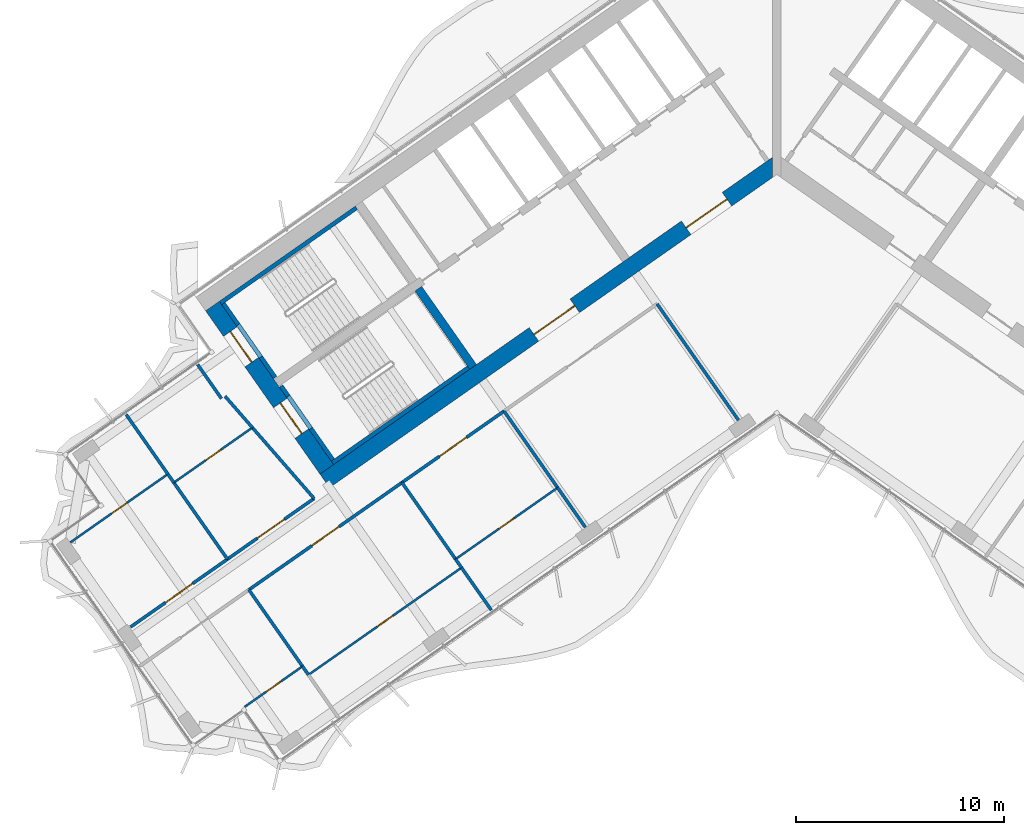
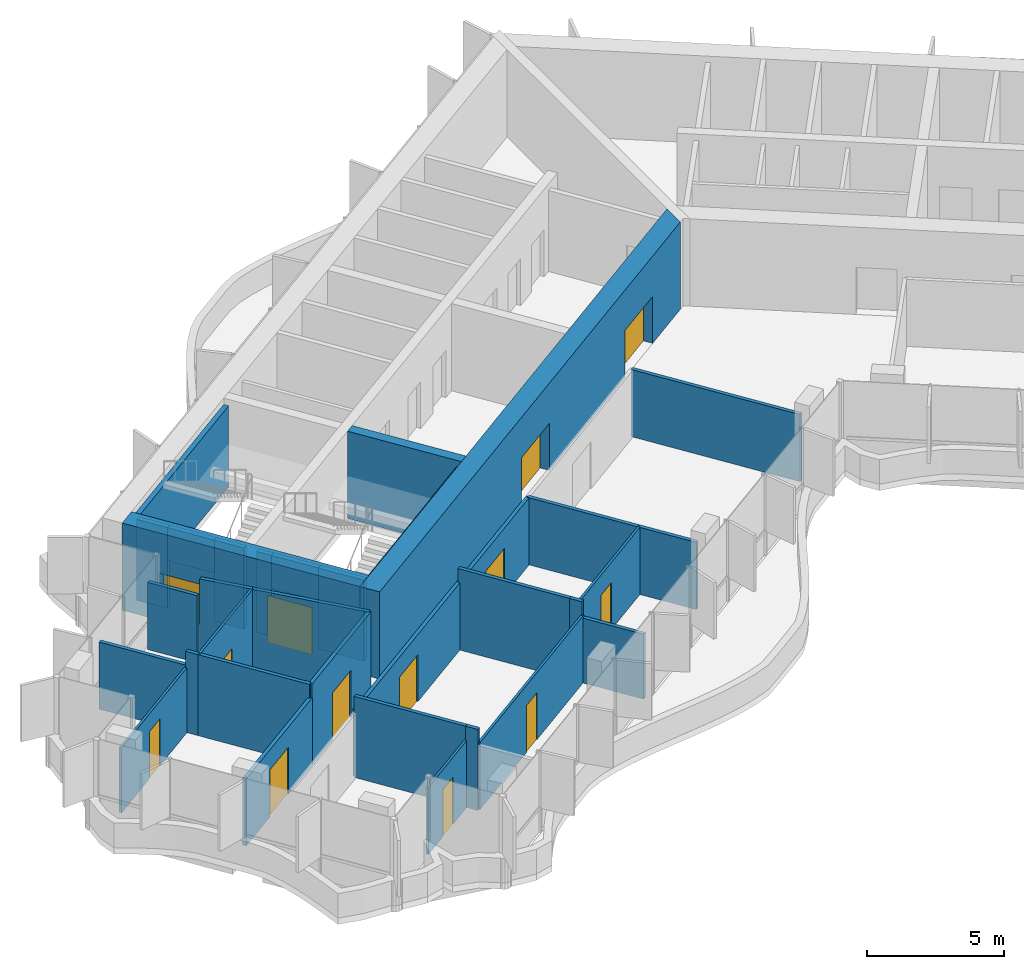
# One storey, part 12 of 21: 34 walls, 13 doors, 13 openings.
"""IFC4 building model written with IfcOpenShell, lengths in metres."""

from ifc_helpers import new_model, si_unit, direction, frame, frame_2d, origin, place, context, subcontext, project, spatial, polyline, rectangle, outline, extrude, material, layer, layer_set, type_object, element, fill, save


model = new_model("IFC4")

# Units and contexts
model_context = context("Model", 3, precision=1e-05, world=origin(), true_north=direction((0.0, 1.0)))
body_context = subcontext(model_context, "Body", "Model", "MODEL_VIEW")
ifc_project = project(units=[si_unit("LENGTHUNIT", "METRE"), si_unit("AREAUNIT", "SQUARE_METRE"), si_unit("VOLUMEUNIT", "CUBIC_METRE"), si_unit("PLANEANGLEUNIT", "RADIAN"), si_unit("MASSUNIT", "GRAM", prefix="KILO")], contexts=[model_context])

# Site, building, storey
site_placement = place(None, origin())
site = spatial("IfcSite", under=ifc_project, at=site_placement, CompositionType="ELEMENT")
building_placement = place(site_placement, origin())
building = spatial("IfcBuilding", under=site, at=building_placement, Name="Tel Ilan Convention Tower", CompositionType="ELEMENT")
storey_placement = place(building_placement, frame((0.0, 0.0, 210.0)))
storey = spatial("IfcBuildingStorey", under=building, at=storey_placement, Name="L49", CompositionType="ELEMENT", Elevation=210.0)

# Wall
ifc_material_1 = material(Name="Concrete C50/60", Category="concrete")
ifc_layer_1 = layer(ifc_material_1, 0.39990234375)
ifc_layer_set_1 = layer_set([ifc_layer_1], Name="Core Shear Wall 400 mm C50/60")
wall_type_1 = type_object("IfcWallType", Name="Core Shear Wall 400 mm C50/60", PredefinedType="SHEAR", material=ifc_layer_set_1)
wall_1_placement = place(storey_placement, frame((-14.6298828125, -10.48828125, 0.0), z_axis=(0.0, 0.0, 1.0), x_axis=(-0.573611936273, 0.819127185829, 0.0)))
element("IfcWall", 1, at=wall_1_placement, inside=storey, type_object=wall_type_1, Name="L49 core wall W-cross2-1", PredefinedType="SHEAR", context=body_context, shape_type="SweptSolid", body=[
    extrude(outline(polyline([(4.60009765625, 0.199951171875), (0.000244140625, 0.2001953125), (0.000244140625, -0.199951171875), (4.60009765625, -0.2001953125), (4.60009765625, 0.199951171875)])), origin(), (0.0, 0.0, 1.0), 3.89990234375),
])

# Wall, openings, doors
ifc_material_2 = material(Name="Concrete C50/60", Category="concrete")
ifc_layer_2 = layer(ifc_material_2, 0.800048828125)
ifc_layer_set_2 = layer_set([ifc_layer_2], Name="Core Shear Wall 800 mm C50/60")
wall_type_2 = type_object("IfcWallType", Name="Core Shear Wall 800 mm C50/60", PredefinedType="SHEAR", material=ifc_layer_set_2)
wall_2_placement = place(storey_placement, frame((0.029296875, -0.7119140625, 0.0), z_axis=(0.0, 0.0, 1.0), x_axis=(-0.819151758019, -0.573576845187, 0.0)))
wall_2 = element("IfcWall", 2, at=wall_2_placement, inside=storey, type_object=wall_type_2, Name="L49 core wall W-front", PredefinedType="SHEAR", context=body_context, shape_type="SweptSolid", body=[
    extrude(outline(polyline([(26.61572265625, 0.39990234375), (0.56005859375, 0.39990234375), (-0.000244140625, -0.39990234375), (26.61572265625, -0.39990234375), (26.61572265625, 0.39990234375)])), origin(), (0.0, 0.0, 1.0), 3.89990234375),
])
opening_1_placement = place(wall_2_placement, frame((2.9658203125, 0.0, 0.0)))
opening_1 = element("IfcOpeningElement", 3, at=opening_1_placement, cuts=wall_2, Name="Opening CD3805", PredefinedType="OPENING", context=body_context, shape_type="SweptSolid", body=[
    extrude(rectangle(XDim=2.39990234375, YDim=2.10009765625, at=frame_2d((1.199951171875, 1.050048828125))), frame((0.0, 0.409912109375, 0.0), z_axis=(0.0, -1.0, 0.0), x_axis=(1.0, 0.0, 0.0)), (0.0, 0.0, 1.0), 0.820068359375),
])
opening_2_placement = place(wall_2_placement, frame((11.915771484375, 0.0, 0.0)))
opening_2 = element("IfcOpeningElement", 4, at=opening_2_placement, cuts=wall_2, Name="Opening CD3806", PredefinedType="OPENING", context=body_context, shape_type="SweptSolid", body=[
    extrude(rectangle(XDim=2.39990234375, YDim=2.10009765625, at=frame_2d((1.199951171875, 1.050048828125))), frame((0.0, 0.409912109375, 0.0), z_axis=(0.0, -1.0, 0.0), x_axis=(1.0, 0.0, 0.0)), (0.0, 0.0, 1.0), 0.820068359375),
])
ifc_material_3 = material(Name="Glazed Aluminium Door Leaf", Category="aluminium")
door_type_1 = type_object("IfcDoorType", Name="Lobby Opening Door 2400 x 2100 FD60S", OperationType="NOTDEFINED", PredefinedType="DOOR", material=ifc_material_3)
door_1_placement = place(opening_1_placement, origin())
door_1 = element("IfcDoor", 5, at=door_1_placement, inside=storey, type_object=door_type_1, Name="Lift Lobby LR1-LR4 opening", OperationType="DOUBLE_DOOR_SINGLE_SWING", OverallHeight=2.10009765625, OverallWidth=2.39990234375, PredefinedType="DOOR", context=body_context, shape_type="SweptSolid", body=[
    extrude(rectangle(XDim=2.39990234375, YDim=2.10009765625, at=frame_2d((1.199951171875, 1.050048828125))), frame((0.0, 0.02490234375, 0.0), z_axis=(0.0, -1.0, 0.0), x_axis=(1.0, 0.0, 0.0)), (0.0, 0.0, 1.0), 0.050048828125),
])
fill(opening_1, door_1)
door_2_placement = place(opening_2_placement, origin())
door_2 = element("IfcDoor", 6, at=door_2_placement, inside=storey, type_object=door_type_1, Name="Lift Lobby LR5-LR6 opening", OperationType="DOUBLE_DOOR_SINGLE_SWING", OverallHeight=2.10009765625, OverallWidth=2.39990234375, PredefinedType="DOOR", context=body_context, shape_type="SweptSolid", body=[
    extrude(rectangle(XDim=2.39990234375, YDim=2.10009765625, at=frame_2d((1.199951171875, 1.050048828125))), frame((0.0, 0.02490234375, 0.0), z_axis=(0.0, -1.0, 0.0), x_axis=(1.0, 0.0, 0.0)), (0.0, 0.0, 1.0), 0.050048828125),
])
fill(opening_2, door_2)

wall_3_placement = place(storey_placement, frame((-21.6748046875, -15.4208984375, 0.0), z_axis=(0.0, 0.0, 1.0), x_axis=(-0.573581815061, 0.819148278049, 0.0)))
wall_3 = element("IfcWall", 7, at=wall_3_placement, inside=storey, type_object=wall_type_2, Name="L49 core wall W-end", PredefinedType="SHEAR", context=body_context, shape_type="SweptSolid", body=[
    extrude(outline(polyline([(0.0, 0.39990234375), (0.0, -0.39990234375), (9.599853515625, -0.400146484375), (9.599853515625, 0.39990234375), (0.0, 0.39990234375)])), origin(), (0.0, 0.0, 1.0), 3.89990234375),
])
opening_3_placement = place(wall_3_placement, frame((6.300048828125, 0.0, 0.0)))
opening_3 = element("IfcOpeningElement", 8, at=opening_3_placement, cuts=wall_3, Name="Opening SD3801", PredefinedType="OPENING", context=body_context, shape_type="SweptSolid", body=[
    extrude(rectangle(XDim=1.800048828125, YDim=2.10009765625, at=frame_2d((0.89990234375, 1.050048828125))), frame((0.0, 0.409912109375, 0.0), z_axis=(0.0, -1.0, 0.0), x_axis=(1.0, 0.0, 0.0)), (0.0, 0.0, 1.0), 0.820068359375),
])
opening_4_placement = place(wall_3_placement, frame((2.10009765625, 0.0, 0.0)))
opening_4 = element("IfcOpeningElement", 9, at=opening_4_placement, cuts=wall_3, Name="Opening SD3802", PredefinedType="OPENING", context=body_context, shape_type="SweptSolid", body=[
    extrude(rectangle(XDim=1.800048828125, YDim=2.10009765625, at=frame_2d((0.89990234375, 1.050048828125))), frame((0.0, 0.409912109375, 0.0), z_axis=(0.0, -1.0, 0.0), x_axis=(1.0, 0.0, 0.0)), (0.0, 0.0, 1.0), 0.820068359375),
])
ifc_material_4 = material(Name="Galvanised Steel Door Leaf", Category="steel")
door_type_2 = type_object("IfcDoorType", Name="Stair Fire Door 1800 x 2100 FD60S", OperationType="NOTDEFINED", PredefinedType="DOOR", material=ifc_material_4)
door_3_placement = place(opening_3_placement, origin())
door_3 = element("IfcDoor", 10, at=door_3_placement, inside=storey, type_object=door_type_2, Name="Stair S1 door", OperationType="DOUBLE_DOOR_SINGLE_SWING", OverallHeight=2.10009765625, OverallWidth=1.800048828125, PredefinedType="DOOR", context=body_context, shape_type="SweptSolid", body=[
    extrude(rectangle(XDim=1.800048828125, YDim=2.10009765625, at=frame_2d((0.89990234375, 1.050048828125))), frame((0.0, 0.02490234375, 0.0), z_axis=(0.0, -1.0, 0.0), x_axis=(1.0, 0.0, 0.0)), (0.0, 0.0, 1.0), 0.050048828125),
])
fill(opening_3, door_3)
door_4_placement = place(opening_4_placement, origin())
door_4 = element("IfcDoor", 11, at=door_4_placement, inside=storey, type_object=door_type_2, Name="Stair S2 door", OperationType="DOUBLE_DOOR_SINGLE_SWING", OverallHeight=2.10009765625, OverallWidth=1.800048828125, PredefinedType="DOOR", context=body_context, shape_type="SweptSolid", body=[
    extrude(rectangle(XDim=1.800048828125, YDim=2.10009765625, at=frame_2d((0.89990234375, 1.050048828125))), frame((0.0, 0.02490234375, 0.0), z_axis=(0.0, -1.0, 0.0), x_axis=(1.0, 0.0, 0.0)), (0.0, 0.0, 1.0), 0.050048828125),
])
fill(opening_4, door_4)

# Wall, opening, door
ifc_material_5 = material(Name="Plasterboard on Steel Studs", Category="steel")
ifc_layer_3 = layer(ifc_material_5, 0.14990234375)
ifc_layer_set_3 = layer_set([ifc_layer_3], Name="Fire-rated Partition 150 EI 60")
wall_type_3 = type_object("IfcWallType", Name="Fire-rated Partition 150 EI 60", PredefinedType="PARTITIONING", material=ifc_layer_set_3)
wall_4_placement = place(storey_placement, frame((-26.460205078125, -19.748291015625, 0.0), z_axis=(0.0, 0.0, 1.0), x_axis=(0.819171182807, 0.573549102744, 0.0)))
wall_4 = element("IfcWall", 12, at=wall_4_placement, inside=storey, type_object=wall_type_3, Name="Partition 008", PredefinedType="PARTITIONING", context=body_context, shape_type="SweptSolid", body=[
    extrude(rectangle(XDim=5.09912109375, YDim=0.14990234375, at=frame_2d((2.549560546875, 0.0))), origin(), (0.0, 0.0, 1.0), 3.6201171875),
])
opening_5_placement = place(wall_4_placement, frame((1.74951171875, 0.0, 0.0)))
opening_5 = element("IfcOpeningElement", 13, at=opening_5_placement, cuts=wall_4, Name="Opening L48-008", PredefinedType="OPENING", context=body_context, shape_type="SweptSolid", body=[
    extrude(rectangle(XDim=1.60009765625, YDim=2.10009765625, at=frame_2d((0.800048828125, 1.050048828125))), frame((0.0, 0.0849609375, 0.0), z_axis=(0.0, -1.0, 0.0), x_axis=(1.0, 0.0, 0.0)), (0.0, 0.0, 1.0), 0.169921875),
])
ifc_material_6 = material(Name="Timber Door Leaf in Steel Frame", Category="steel")
door_type_3 = type_object("IfcDoorType", Name="Tenant Suite Entrance Fire Door 1600x2100", OperationType="NOTDEFINED", PredefinedType="DOOR", material=ifc_material_6)
door_5_placement = place(opening_5_placement, origin())
door_5 = element("IfcDoor", 14, at=door_5_placement, inside=storey, type_object=door_type_3, Name="Door L48-008", OperationType="DOUBLE_DOOR_SINGLE_SWING", OverallHeight=2.10009765625, OverallWidth=1.60009765625, PredefinedType="DOOR", context=body_context, shape_type="SweptSolid", body=[
    extrude(rectangle(XDim=1.60009765625, YDim=2.10009765625, at=frame_2d((0.800048828125, 1.050048828125))), frame((0.0, 0.02490234375, 0.0), z_axis=(0.0, -1.0, 0.0), x_axis=(1.0, 0.0, 0.0)), (0.0, 0.0, 1.0), 0.050048828125),
])
fill(opening_5, door_5)

wall_5_placement = place(storey_placement, frame((-31.127685546875, -23.0166015625, 0.0), z_axis=(0.0, 0.0, 1.0), x_axis=(0.819159500015, 0.573565788323, 0.0)))
wall_5 = element("IfcWall", 15, at=wall_5_placement, inside=storey, type_object=wall_type_3, Name="Partition 009", PredefinedType="PARTITIONING", context=body_context, shape_type="SweptSolid", body=[
    extrude(rectangle(XDim=5.7021484375, YDim=0.14990234375, at=frame_2d((2.85107421875, 0.0))), origin(), (0.0, 0.0, 1.0), 3.0),
])
opening_6_placement = place(wall_5_placement, frame((2.051025390625, 0.0, 0.0)))
opening_6 = element("IfcOpeningElement", 16, at=opening_6_placement, cuts=wall_5, Name="Opening L48-010", PredefinedType="OPENING", context=body_context, shape_type="SweptSolid", body=[
    extrude(rectangle(XDim=1.60009765625, YDim=2.10009765625, at=frame_2d((0.800048828125, 1.050048828125))), frame((0.0, 0.0849609375, 0.0), z_axis=(0.0, -1.0, 0.0), x_axis=(1.0, 0.0, 0.0)), (0.0, 0.0, 1.0), 0.169921875),
])
door_6_placement = place(opening_6_placement, origin())
door_6 = element("IfcDoor", 17, at=door_6_placement, inside=storey, type_object=door_type_3, Name="Door L48-010", OperationType="DOUBLE_DOOR_SINGLE_SWING", OverallHeight=2.10009765625, OverallWidth=1.60009765625, PredefinedType="DOOR", context=body_context, shape_type="SweptSolid", body=[
    extrude(rectangle(XDim=1.60009765625, YDim=2.10009765625, at=frame_2d((0.800048828125, 1.050048828125))), frame((0.0, 0.02490234375, 0.0), z_axis=(0.0, -1.0, 0.0), x_axis=(1.0, 0.0, 0.0)), (0.0, 0.0, 1.0), 0.050048828125),
])
fill(opening_6, door_6)

wall_6_placement = place(storey_placement, frame((-13.13720703125, -12.616943359375, 0.0), z_axis=(0.0, 0.0, 1.0), x_axis=(-0.819165052243, -0.573557858619, 0.0)))
wall_6 = element("IfcWall", 18, at=wall_6_placement, inside=storey, type_object=wall_type_3, Name="Partition 011", PredefinedType="PARTITIONING", context=body_context, shape_type="SweptSolid", body=[
    extrude(rectangle(XDim=6.00390625, YDim=0.14990234375, at=frame_2d((3.001953125, 0.0))), origin(), (0.0, 0.0, 1.0), 3.0),
])
opening_7_placement = place(wall_6_placement, frame((2.201904296875, 0.0, 0.0)))
opening_7 = element("IfcOpeningElement", 19, at=opening_7_placement, cuts=wall_6, Name="Opening L48-002", PredefinedType="OPENING", context=body_context, shape_type="SweptSolid", body=[
    extrude(rectangle(XDim=1.60009765625, YDim=2.10009765625, at=frame_2d((0.800048828125, 1.050048828125))), frame((0.0, 0.0849609375, 0.0), z_axis=(0.0, -1.0, 0.0), x_axis=(1.0, 0.0, 0.0)), (0.0, 0.0, 1.0), 0.169921875),
])
door_7_placement = place(opening_7_placement, origin())
door_7 = element("IfcDoor", 20, at=door_7_placement, inside=storey, type_object=door_type_3, Name="Door L48-002", OperationType="DOUBLE_DOOR_SINGLE_SWING", OverallHeight=2.10009765625, OverallWidth=1.60009765625, PredefinedType="DOOR", context=body_context, shape_type="SweptSolid", body=[
    extrude(rectangle(XDim=1.60009765625, YDim=2.10009765625, at=frame_2d((0.800048828125, 1.050048828125))), frame((0.0, 0.02490234375, 0.0), z_axis=(0.0, -1.0, 0.0), x_axis=(1.0, 0.0, 0.0)), (0.0, 0.0, 1.0), 0.050048828125),
])
fill(opening_7, door_7)

wall_7_placement = place(storey_placement, frame((-18.052001953125, -16.058349609375, 0.0), z_axis=(0.0, 0.0, 1.0), x_axis=(-0.819142740634, -0.573589723117, 0.0)))
wall_7 = element("IfcWall", 21, at=wall_7_placement, inside=storey, type_object=wall_type_3, Name="Partition 012", PredefinedType="PARTITIONING", context=body_context, shape_type="SweptSolid", body=[
    extrude(rectangle(XDim=9.00390625, YDim=0.14990234375, at=frame_2d((4.501953125, 0.0))), origin(), (0.0, 0.0, 1.0), 3.0),
])
opening_8_placement = place(wall_7_placement, frame((3.701904296875, 0.0, 0.0)))
opening_8 = element("IfcOpeningElement", 22, at=opening_8_placement, cuts=wall_7, Name="Opening L48-004", PredefinedType="OPENING", context=body_context, shape_type="SweptSolid", body=[
    extrude(rectangle(XDim=1.60009765625, YDim=2.10009765625, at=frame_2d((0.800048828125, 1.050048828125))), frame((0.0, 0.0849609375, 0.0), z_axis=(0.0, -1.0, 0.0), x_axis=(1.0, 0.0, 0.0)), (0.0, 0.0, 1.0), 0.169921875),
])
door_8_placement = place(opening_8_placement, origin())
door_8 = element("IfcDoor", 23, at=door_8_placement, inside=storey, type_object=door_type_3, Name="Door L48-004", OperationType="DOUBLE_DOOR_SINGLE_SWING", OverallHeight=2.10009765625, OverallWidth=1.60009765625, PredefinedType="DOOR", context=body_context, shape_type="SweptSolid", body=[
    extrude(rectangle(XDim=1.60009765625, YDim=2.10009765625, at=frame_2d((0.800048828125, 1.050048828125))), frame((0.0, 0.02490234375, 0.0), z_axis=(0.0, -1.0, 0.0), x_axis=(1.0, 0.0, 0.0)), (0.0, 0.0, 1.0), 0.050048828125),
])
fill(opening_8, door_8)

# Walls
wall_8_placement = place(storey_placement, frame((-1.848876953125, -13.050537109375, 0.0), z_axis=(0.0, 0.0, 1.0), x_axis=(-0.57357985571, 0.819149650018, 0.0)))
element("IfcWall", 24, at=wall_8_placement, inside=storey, type_object=wall_type_3, Name="Partition 033", PredefinedType="PARTITIONING", context=body_context, shape_type="SweptSolid", body=[
    extrude(rectangle(XDim=6.83203125, YDim=0.14990234375, at=frame_2d((3.416015625, 0.0))), origin(), (0.0, 0.0, 1.0), 3.0),
])
wall_9_placement = place(storey_placement, frame((-26.74609375, -12.013671875, 0.0), z_axis=(0.0, 0.0, 1.0), x_axis=(-0.573568836472, 0.819157365729, 0.0)))
element("IfcWall", 25, at=wall_9_placement, inside=storey, type_object=wall_type_3, Name="Partition 034", PredefinedType="PARTITIONING", context=body_context, shape_type="SweptSolid", body=[
    extrude(rectangle(XDim=2.000244140625, YDim=0.14990234375, at=frame_2d((1.0, 0.0))), origin(), (0.0, 0.0, 1.0), 3.0),
])
wall_10_placement = place(storey_placement, frame((-25.25634765625, -13.4130859375, 0.0), z_axis=(0.0, 0.0, 1.0), x_axis=(-0.656776293518, 0.75408547279, 0.0)))
element("IfcWall", 26, at=wall_10_placement, inside=storey, type_object=wall_type_3, Name="Partition 035", PredefinedType="PARTITIONING", context=body_context, shape_type="SweptSolid", body=[
    extrude(rectangle(XDim=2.01220703125, YDim=0.14990234375, at=frame_2d((1.006103515625, 0.0))), origin(), (0.0, 0.0, 1.0), 3.6201171875),
])
wall_11_placement = place(storey_placement, frame((-22.28369140625, -16.826416015625, 0.0), z_axis=(0.0, 0.0, 1.0), x_axis=(-0.656755036803, 0.754103985955, 0.0)))
element("IfcWall", 27, at=wall_11_placement, inside=storey, type_object=wall_type_3, Name="Partition 036", PredefinedType="PARTITIONING", context=body_context, shape_type="SweptSolid", body=[
    extrude(rectangle(XDim=4.529296875, YDim=0.14990234375, at=frame_2d((2.2646484375, 0.0))), origin(), (0.0, 0.0, 1.0), 3.6201171875),
])
wall_12_placement = place(storey_placement, frame((-29.32568359375, -15.652099609375, 0.0), z_axis=(0.0, 0.0, 1.0), x_axis=(-0.573593387921, 0.81914017441, 0.0)))
element("IfcWall", 28, at=wall_12_placement, inside=storey, type_object=wall_type_3, Name="Partition 038", PredefinedType="PARTITIONING", context=body_context, shape_type="SweptSolid", body=[
    extrude(rectangle(XDim=3.500732421875, YDim=0.14990234375, at=frame_2d((1.75048828125, 0.0))), origin(), (0.0, 0.0, 1.0), 3.0),
])
wall_13_placement = place(storey_placement, frame((-29.0400390625, -16.060302734375, 0.0), z_axis=(0.0, 0.0, 1.0), x_axis=(-0.573560455774, 0.819163233777, 0.0)))
element("IfcWall", 29, at=wall_13_placement, inside=storey, type_object=wall_type_3, Name="Partition 039", PredefinedType="PARTITIONING", context=body_context, shape_type="SweptSolid", body=[
    extrude(rectangle(XDim=0.5009765625, YDim=0.14990234375, at=frame_2d((0.25048828125, 0.0))), origin(), (0.0, 0.0, 1.0), 3.6201171875),
])
wall_14_placement = place(storey_placement, frame((-26.45849609375, -19.747314453125, 0.0), z_axis=(0.0, 0.0, 1.0), x_axis=(-0.573560650686, 0.819163097304, 0.0)))
element("IfcWall", 30, at=wall_14_placement, inside=storey, type_object=wall_type_3, Name="Partition 040", PredefinedType="PARTITIONING", context=body_context, shape_type="SweptSolid", body=[
    extrude(rectangle(XDim=4.5, YDim=0.14990234375, at=frame_2d((2.25, 0.0))), origin(), (0.0, 0.0, 1.0), 3.6201171875),
])
wall_15_placement = place(storey_placement, frame((-9.22119140625, -18.212890625, 0.0), z_axis=(0.0, 0.0, 1.0), x_axis=(-0.573553724287, 0.819167946978, 0.0)))
element("IfcWall", 31, at=wall_15_placement, inside=storey, type_object=wall_type_3, Name="Partition 042", PredefinedType="PARTITIONING", context=body_context, shape_type="SweptSolid", body=[
    extrude(rectangle(XDim=2.330810546875, YDim=0.14990234375, at=frame_2d((1.16552734375, 0.0))), origin(), (0.0, 0.0, 1.0), 3.0),
])
wall_16_placement = place(storey_placement, frame((-10.556396484375, -16.305908203125, 0.0), z_axis=(0.0, 0.0, 1.0), x_axis=(-0.573564243949, 0.819160581365, 0.0)))
element("IfcWall", 32, at=wall_16_placement, inside=storey, type_object=wall_type_3, Name="Partition 043", PredefinedType="PARTITIONING", context=body_context, shape_type="SweptSolid", body=[
    extrude(rectangle(XDim=4.502197265625, YDim=0.14990234375, at=frame_2d((2.2509765625, 0.0))), origin(), (0.0, 0.0, 1.0), 3.0),
])
wall_17_placement = place(storey_placement, frame((-13.751708984375, -22.203125, 0.0), z_axis=(0.0, 0.0, 1.0), x_axis=(-0.57356715775, 0.819158541157, 0.0)))
element("IfcWall", 33, at=wall_17_placement, inside=storey, type_object=wall_type_3, Name="Partition 045", PredefinedType="PARTITIONING", context=body_context, shape_type="SweptSolid", body=[
    extrude(rectangle(XDim=2.501220703125, YDim=0.14990234375, at=frame_2d((1.25048828125, 0.0))), origin(), (0.0, 0.0, 1.0), 2.89990234375),
])
wall_18_placement = place(storey_placement, frame((-15.1845703125, -20.156982421875, 0.0), z_axis=(0.0, 0.0, 1.0), x_axis=(-0.573560455774, 0.819163233777, 0.0)))
element("IfcWall", 34, at=wall_18_placement, inside=storey, type_object=wall_type_3, Name="Partition 046", PredefinedType="PARTITIONING", context=body_context, shape_type="SweptSolid", body=[
    extrude(rectangle(XDim=0.5009765625, YDim=0.14990234375, at=frame_2d((0.25048828125, 0.0))), origin(), (0.0, 0.0, 1.0), 3.6201171875),
])
wall_19_placement = place(storey_placement, frame((-15.472412109375, -19.74560546875, 0.0), z_axis=(0.0, 0.0, 1.0), x_axis=(-0.573622545156, 0.819119756622, 0.0)))
element("IfcWall", 35, at=wall_19_placement, inside=storey, type_object=wall_type_3, Name="Partition 047", PredefinedType="PARTITIONING", context=body_context, shape_type="SweptSolid", body=[
    extrude(rectangle(XDim=4.5, YDim=0.14990234375, at=frame_2d((2.25, 0.0))), origin(), (0.0, 0.0, 1.0), 3.6201171875),
])
wall_20_placement = place(storey_placement, frame((-22.55810546875, -25.3173828125, 0.0), z_axis=(0.0, 0.0, 1.0), x_axis=(-0.573560455774, 0.819163233777, 0.0)))
element("IfcWall", 36, at=wall_20_placement, inside=storey, type_object=wall_type_3, Name="Partition 050", PredefinedType="PARTITIONING", context=body_context, shape_type="SweptSolid", body=[
    extrude(rectangle(XDim=0.5009765625, YDim=0.14990234375, at=frame_2d((0.25048828125, 0.0))), origin(), (0.0, 0.0, 1.0), 3.6201171875),
])
wall_21_placement = place(storey_placement, frame((-22.84375, -24.909423828125, 0.0), z_axis=(0.0, 0.0, 1.0), x_axis=(-0.573589723117, 0.819142740634, 0.0)))
element("IfcWall", 37, at=wall_21_placement, inside=storey, type_object=wall_type_3, Name="Partition 051", PredefinedType="PARTITIONING", context=body_context, shape_type="SweptSolid", body=[
    extrude(rectangle(XDim=4.501953125, YDim=0.14990234375, at=frame_2d((2.2509765625, 0.0))), origin(), (0.0, 0.0, 1.0), 3.6201171875),
])

# Wall, opening, door
ifc_material_7 = material(Name="Plasterboard on Steel Studs", Category="steel")
ifc_layer_4 = layer(ifc_material_7, 0.10009765625)
ifc_layer_set_4 = layer_set([ifc_layer_4], Name="Plasterboard Partition 100")
wall_type_4 = type_object("IfcWallType", Name="Plasterboard Partition 100", PredefinedType="PARTITIONING", material=ifc_layer_set_4)
wall_22_placement = place(storey_placement, frame((-29.0400390625, -16.060302734375, 0.0), z_axis=(0.0, 0.0, 1.0), x_axis=(0.819135037256, 0.573600724145, 0.0)))
wall_22 = element("IfcWall", 38, at=wall_22_placement, inside=storey, type_object=wall_type_4, Name="Partition 037", PredefinedType="PARTITIONING", context=body_context, shape_type="SweptSolid", body=[
    extrude(rectangle(XDim=4.61767578125, YDim=0.10009765625, at=frame_2d((2.308837890625, 0.0))), origin(), (0.0, 0.0, 1.0), 3.6201171875),
])
opening_9_placement = place(wall_22_placement, frame((1.85888671875, 0.0, 0.0)))
opening_9 = element("IfcOpeningElement", 39, at=opening_9_placement, cuts=wall_22, Name="Opening L48-009", PredefinedType="OPENING", context=body_context, shape_type="SweptSolid", body=[
    extrude(rectangle(XDim=0.89990234375, YDim=2.10009765625, at=frame_2d((0.449951171875, 1.050048828125))), frame((0.0, 0.06005859375, 0.0), z_axis=(0.0, -1.0, 0.0), x_axis=(1.0, 0.0, 0.0)), (0.0, 0.0, 1.0), 0.1201171875),
])
ifc_material_8 = material(Name="Timber Door Leaf in Steel Frame", Category="steel")
door_type_4 = type_object("IfcDoorType", Name="Room Timber Door 900x2100", OperationType="NOTDEFINED", PredefinedType="DOOR", material=ifc_material_8)
door_9_placement = place(opening_9_placement, origin())
door_9 = element("IfcDoor", 40, at=door_9_placement, inside=storey, type_object=door_type_4, Name="Door L48-009", OperationType="SINGLE_SWING_RIGHT", OverallHeight=2.10009765625, OverallWidth=0.89990234375, PredefinedType="DOOR", context=body_context, shape_type="SweptSolid", body=[
    extrude(rectangle(XDim=0.89990234375, YDim=2.10009765625, at=frame_2d((0.449951171875, 1.050048828125))), frame((0.0, 0.02490234375, 0.0), z_axis=(0.0, -1.0, 0.0), x_axis=(1.0, 0.0, 0.0)), (0.0, 0.0, 1.0), 0.050048828125),
])
fill(opening_9, door_9)

wall_23_placement = place(storey_placement, frame((-34.0205078125, -18.937255859375, 0.0), z_axis=(0.0, 0.0, 1.0), x_axis=(0.819141832764, 0.573591019644, 0.0)))
wall_23 = element("IfcWall", 41, at=wall_23_placement, inside=storey, type_object=wall_type_4, Name="Partition 041", PredefinedType="PARTITIONING", context=body_context, shape_type="SweptSolid", body=[
    extrude(rectangle(XDim=5.72998046875, YDim=0.10009765625, at=frame_2d((2.864990234375, 0.0))), origin(), (0.0, 0.0, 1.0), 2.89990234375),
])
opening_10_placement = place(wall_23_placement, frame((2.4150390625, 0.0, 0.0)))
opening_10 = element("IfcOpeningElement", 42, at=opening_10_placement, cuts=wall_23, Name="Opening L48-011", PredefinedType="OPENING", context=body_context, shape_type="SweptSolid", body=[
    extrude(rectangle(XDim=0.89990234375, YDim=2.10009765625, at=frame_2d((0.449951171875, 1.050048828125))), frame((0.0, 0.06005859375, 0.0), z_axis=(0.0, -1.0, 0.0), x_axis=(1.0, 0.0, 0.0)), (0.0, 0.0, 1.0), 0.1201171875),
])
door_10_placement = place(opening_10_placement, origin())
door_10 = element("IfcDoor", 43, at=door_10_placement, inside=storey, type_object=door_type_4, Name="Door L48-011", OperationType="SINGLE_SWING_RIGHT", OverallHeight=2.10009765625, OverallWidth=0.89990234375, PredefinedType="DOOR", context=body_context, shape_type="SweptSolid", body=[
    extrude(rectangle(XDim=0.89990234375, YDim=2.10009765625, at=frame_2d((0.449951171875, 1.050048828125))), frame((0.0, 0.02490234375, 0.0), z_axis=(0.0, -1.0, 0.0), x_axis=(1.0, 0.0, 0.0)), (0.0, 0.0, 1.0), 0.050048828125),
])
fill(opening_10, door_10)

wall_24_placement = place(storey_placement, frame((-10.55712890625, -16.304931640625, 0.0), z_axis=(0.0, 0.0, 1.0), x_axis=(-0.819130592339, -0.573607071691, 0.0)))
wall_24 = element("IfcWall", 44, at=wall_24_placement, inside=storey, type_object=wall_type_4, Name="Partition 044", PredefinedType="PARTITIONING", context=body_context, shape_type="SweptSolid", body=[
    extrude(rectangle(XDim=6.0, YDim=0.10009765625, at=frame_2d((3.0, 0.0))), origin(), (0.0, 0.0, 1.0), 3.0),
])
opening_11_placement = place(wall_24_placement, frame((2.550048828125, 0.0, 0.0)))
opening_11 = element("IfcOpeningElement", 45, at=opening_11_placement, cuts=wall_24, Name="Opening L48-003", PredefinedType="OPENING", context=body_context, shape_type="SweptSolid", body=[
    extrude(rectangle(XDim=0.89990234375, YDim=2.10009765625, at=frame_2d((0.449951171875, 1.050048828125))), frame((0.0, 0.06005859375, 0.0), z_axis=(0.0, -1.0, 0.0), x_axis=(1.0, 0.0, 0.0)), (0.0, 0.0, 1.0), 0.1201171875),
])
door_11_placement = place(opening_11_placement, origin())
door_11 = element("IfcDoor", 46, at=door_11_placement, inside=storey, type_object=door_type_4, Name="Door L48-003", OperationType="SINGLE_SWING_LEFT", OverallHeight=2.10009765625, OverallWidth=0.89990234375, PredefinedType="DOOR", context=body_context, shape_type="SweptSolid", body=[
    extrude(rectangle(XDim=0.89990234375, YDim=2.10009765625, at=frame_2d((0.449951171875, 1.050048828125))), frame((0.0, 0.02490234375, 0.0), z_axis=(0.0, -1.0, 0.0), x_axis=(1.0, 0.0, 0.0)), (0.0, 0.0, 1.0), 0.050048828125),
])
fill(opening_11, door_11)

wall_25_placement = place(storey_placement, frame((-15.185302734375, -20.156005859375, 0.0), z_axis=(0.0, 0.0, 1.0), x_axis=(-0.819154173185, -0.573573395961, 0.0)))
wall_25 = element("IfcWall", 47, at=wall_25_placement, inside=storey, type_object=wall_type_4, Name="Partition 048", PredefinedType="PARTITIONING", context=body_context, shape_type="SweptSolid", body=[
    extrude(rectangle(XDim=9.0, YDim=0.10009765625, at=frame_2d((4.5, 0.0))), origin(), (0.0, 0.0, 1.0), 3.0),
])
opening_12_placement = place(wall_25_placement, frame((4.050048828125, 0.0, 0.0)))
opening_12 = element("IfcOpeningElement", 48, at=opening_12_placement, cuts=wall_25, Name="Opening L48-005", PredefinedType="OPENING", context=body_context, shape_type="SweptSolid", body=[
    extrude(rectangle(XDim=0.89990234375, YDim=2.10009765625, at=frame_2d((0.449951171875, 1.050048828125))), frame((0.0, 0.06005859375, 0.0), z_axis=(0.0, -1.0, 0.0), x_axis=(1.0, 0.0, 0.0)), (0.0, 0.0, 1.0), 0.1201171875),
])
door_12_placement = place(opening_12_placement, origin())
door_12 = element("IfcDoor", 49, at=door_12_placement, inside=storey, type_object=door_type_4, Name="Door L48-005", OperationType="SINGLE_SWING_RIGHT", OverallHeight=2.10009765625, OverallWidth=0.89990234375, PredefinedType="DOOR", context=body_context, shape_type="SweptSolid", body=[
    extrude(rectangle(XDim=0.89990234375, YDim=2.10009765625, at=frame_2d((0.449951171875, 1.050048828125))), frame((0.0, 0.02490234375, 0.0), z_axis=(0.0, -1.0, 0.0), x_axis=(1.0, 0.0, 0.0)), (0.0, 0.0, 1.0), 0.050048828125),
])
fill(opening_12, door_12)

wall_26_placement = place(storey_placement, frame((-22.84423828125, -24.90869140625, 0.0), z_axis=(0.0, 0.0, 1.0), x_axis=(-0.819150951061, -0.57357799764, 0.0)))
wall_26 = element("IfcWall", 50, at=wall_26_placement, inside=storey, type_object=wall_type_4, Name="Partition 052", PredefinedType="PARTITIONING", context=body_context, shape_type="SweptSolid", body=[
    extrude(rectangle(XDim=3.400146484375, YDim=0.10009765625, at=frame_2d((1.7001953125, 0.0))), origin(), (0.0, 0.0, 1.0), 3.0),
])
opening_13_placement = place(wall_26_placement, frame((1.25, 0.0, 0.0)))
opening_13 = element("IfcOpeningElement", 51, at=opening_13_placement, cuts=wall_26, Name="Opening L48-007", PredefinedType="OPENING", context=body_context, shape_type="SweptSolid", body=[
    extrude(rectangle(XDim=0.89990234375, YDim=2.10009765625, at=frame_2d((0.449951171875, 1.050048828125))), frame((0.0, 0.06005859375, 0.0), z_axis=(0.0, -1.0, 0.0), x_axis=(1.0, 0.0, 0.0)), (0.0, 0.0, 1.0), 0.1201171875),
])
door_13_placement = place(opening_13_placement, origin())
door_13 = element("IfcDoor", 52, at=door_13_placement, inside=storey, type_object=door_type_4, Name="Door L48-007", OperationType="SINGLE_SWING_RIGHT", OverallHeight=2.10009765625, OverallWidth=0.89990234375, PredefinedType="DOOR", context=body_context, shape_type="SweptSolid", body=[
    extrude(rectangle(XDim=0.89990234375, YDim=2.10009765625, at=frame_2d((0.449951171875, 1.050048828125))), frame((0.0, 0.02490234375, 0.0), z_axis=(0.0, -1.0, 0.0), x_axis=(1.0, 0.0, 0.0)), (0.0, 0.0, 1.0), 0.050048828125),
])
fill(opening_13, door_13)

# Walls
ifc_material_9 = material(Name="Concrete C30/37", Category="concrete")
ifc_layer_5 = layer(ifc_material_9, 0.199951171875)
ifc_layer_set_5 = layer_set([ifc_layer_5], Name="Stair and Shaft Lining Wall 200 mm C30/37")
wall_type_5 = type_object("IfcWallType", Name="Stair and Shaft Lining Wall 200 mm C30/37", PredefinedType="SOLIDWALL", material=ifc_layer_set_5)
wall_27_placement = place(storey_placement, frame((-20.242919921875, -2.821044921875, 0.0), z_axis=(0.0, 0.0, 1.0), x_axis=(-0.819141584393, -0.57359137434, 0.0)))
element("IfcWall", 53, at=wall_27_placement, inside=storey, type_object=wall_type_5, Name="L49 core wall lining-S1-t1", PredefinedType="SOLIDWALL", context=body_context, shape_type="SweptSolid", body=[
    extrude(rectangle(XDim=7.999755859375, YDim=0.199951171875, at=frame_2d((4.0, 0.0))), origin(), (0.0, 0.0, 1.0), 3.6201171875),
])
wall_28_placement = place(storey_placement, frame((-24.16162109375, -10.99755859375, 0.0), z_axis=(0.0, 0.0, 1.0), x_axis=(-0.573612502218, 0.819126789514, 0.0)))
element("IfcWall", 54, at=wall_28_placement, inside=storey, type_object=wall_type_5, Name="L49 core wall lining-S1-u1-0", PredefinedType="SOLIDWALL", context=body_context, shape_type="SweptSolid", body=[
    extrude(rectangle(XDim=1.2001953125, YDim=0.199951171875, at=frame_2d((0.60009765625, 0.0))), origin(), (0.0, 0.0, 1.0), 3.6201171875),
])
wall_29_placement = place(storey_placement, frame((-25.939697265625, -8.4580078125, 0.0), z_axis=(0.0, 0.0, 1.0), x_axis=(-0.573619628835, 0.819121798889, 0.0)))
element("IfcWall", 55, at=wall_29_placement, inside=storey, type_object=wall_type_5, Name="L49 core wall lining-S1-u1-1", PredefinedType="SOLIDWALL", context=body_context, shape_type="SweptSolid", body=[
    extrude(rectangle(XDim=1.25, YDim=0.199951171875, at=frame_2d((0.625, 0.0))), origin(), (0.0, 0.0, 1.0), 3.6201171875),
])
wall_30_placement = place(storey_placement, frame((-24.85009765625, -10.014404296875, 2.14990234375), z_axis=(0.0, 0.0, 1.0), x_axis=(-0.573505465124, 0.819201734296, 0.0)))
element("IfcWall", 56, at=wall_30_placement, inside=storey, type_object=wall_type_5, Name="L49 core wall lining-S1-u1-lintel", PredefinedType="SOLIDWALL", context=body_context, shape_type="SweptSolid", body=[
    extrude(rectangle(XDim=1.89990234375, YDim=0.199951171875, at=frame_2d((0.949951171875, 0.0))), origin(), (0.0, 0.0, 1.0), 1.47021484375),
])
wall_31_placement = place(storey_placement, frame((-14.851318359375, -10.52099609375, 0.0), z_axis=(0.0, 0.0, 1.0), x_axis=(-0.819141584393, -0.57359137434, 0.0)))
element("IfcWall", 57, at=wall_31_placement, inside=storey, type_object=wall_type_5, Name="L49 core wall lining-S2-t0", PredefinedType="SOLIDWALL", context=body_context, shape_type="SweptSolid", body=[
    extrude(rectangle(XDim=7.999755859375, YDim=0.199951171875, at=frame_2d((4.0, 0.0))), origin(), (0.0, 0.0, 1.0), 3.6201171875),
])
wall_32_placement = place(storey_placement, frame((-21.3798828125, -14.97021484375, 0.0), z_axis=(0.0, 0.0, 1.0), x_axis=(-0.573559770908, 0.819163713305, 0.0)))
element("IfcWall", 58, at=wall_32_placement, inside=storey, type_object=wall_type_5, Name="L49 core wall lining-S2-u1-0", PredefinedType="SOLIDWALL", context=body_context, shape_type="SweptSolid", body=[
    extrude(rectangle(XDim=1.849853515625, YDim=0.199951171875, at=frame_2d((0.9248046875, 0.0))), origin(), (0.0, 0.0, 1.0), 3.6201171875),
])
wall_33_placement = place(storey_placement, frame((-23.53076171875, -11.8984375, 0.0), z_axis=(0.0, 0.0, 1.0), x_axis=(-0.573708088123, 0.819059844958, 0.0)))
element("IfcWall", 59, at=wall_33_placement, inside=storey, type_object=wall_type_5, Name="L49 core wall lining-S2-u1-1", PredefinedType="SOLIDWALL", context=body_context, shape_type="SweptSolid", body=[
    extrude(rectangle(XDim=0.60009765625, YDim=0.199951171875, at=frame_2d((0.300048828125, 0.0))), origin(), (0.0, 0.0, 1.0), 3.6201171875),
])
wall_34_placement = place(storey_placement, frame((-22.44091796875, -13.454833984375, 2.14990234375), z_axis=(0.0, 0.0, 1.0), x_axis=(-0.573591692345, 0.819141361715, 0.0)))
element("IfcWall", 60, at=wall_34_placement, inside=storey, type_object=wall_type_5, Name="L49 core wall lining-S2-u1-lintel", PredefinedType="SOLIDWALL", context=body_context, shape_type="SweptSolid", body=[
    extrude(rectangle(XDim=1.900146484375, YDim=0.199951171875, at=frame_2d((0.9501953125, 0.0))), origin(), (0.0, 0.0, 1.0), 1.47021484375),
])

save(model, "model.ifc")
